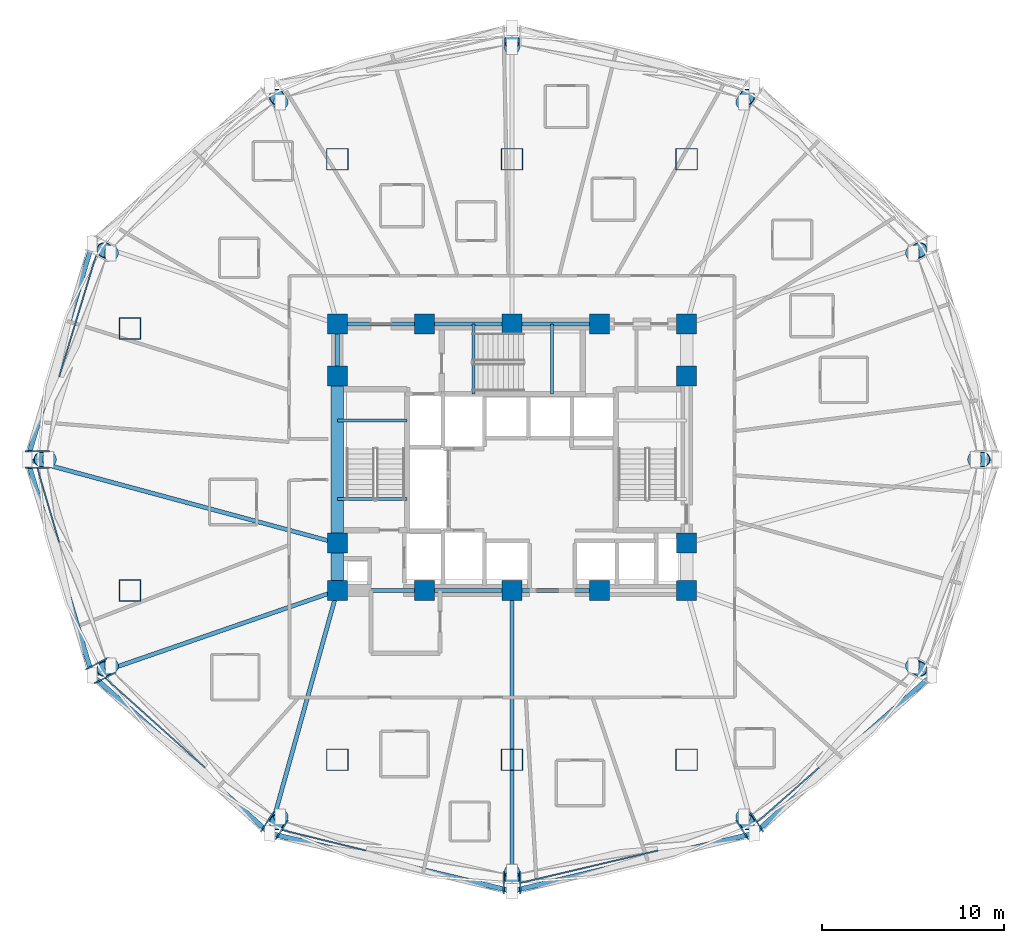
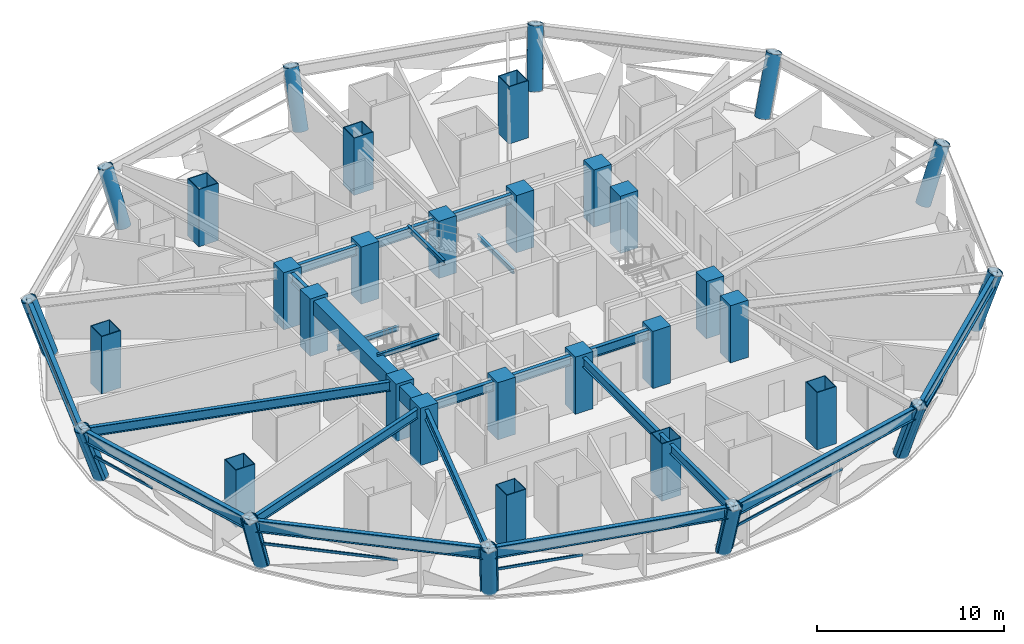
# One storey, part 1 of 12: 34 columns, 23 beams, 16 members, 6 elements without a shape of their own.
"""IFC4 building model written with IfcOpenShell, lengths in metres."""

from ifc_helpers import new_model, si_unit, direction, frame, origin, origin_2d, place, context, subcontext, project, spatial, rectangle, hollow_rectangle, hollow_circle, i_section, extrude, material, layer, layer_set, material_profile, profile_set, type_object, element, aggregate, save


model = new_model("IFC4")

# Units and contexts
model_context = context("Model", 3, precision=1e-05, world=origin(), true_north=direction((0.0, 1.0)))
body_context = subcontext(model_context, "Body", "Model", "MODEL_VIEW")
ifc_project = project(units=[si_unit("LENGTHUNIT", "METRE"), si_unit("AREAUNIT", "SQUARE_METRE"), si_unit("VOLUMEUNIT", "CUBIC_METRE"), si_unit("PLANEANGLEUNIT", "RADIAN"), si_unit("MASSUNIT", "GRAM", prefix="KILO")], contexts=[model_context])

# Site, building, storey
site_placement = place(None, origin())
site = spatial("IfcSite", under=ifc_project, at=site_placement, CompositionType="ELEMENT")
building_placement = place(site_placement, origin())
building = spatial("IfcBuilding", under=site, at=building_placement, Name="Vantalir Tower", CompositionType="ELEMENT")
storey_placement = place(building_placement, frame((0.0, 0.0, 38.25)))
storey = spatial("IfcBuildingStorey", under=building, at=storey_placement, Name="L08", CompositionType="ELEMENT", Elevation=38.25)

# Columns
ifc_material_1 = material(Name="Concrete C60/75", Category="concrete")
ifc_material_profile_1 = material_profile(ifc_material_1, rectangle(XDim=1.10009765625, YDim=1.10009765625, at=origin_2d()), Name="Concrete C60/75")
ifc_profile_set_1 = profile_set([ifc_material_profile_1], Name="Concrete C60/75")
column_type_1 = type_object("IfcColumnType", Name="COL-CC-1100", PredefinedType="COLUMN", material=ifc_profile_set_1)
for number, where, z_axis, x_axis, name in (
    (1, (21.89990234375, 17.800048828125, 0.0), (0.0, 0.0, 1.0), (1.0, 0.0, 0.0), "L08 Core Column CC01"),
    (2, (26.699951171875, 17.800048828125, 0.0), (0.0, 0.0, 1.0), (1.0, 0.0, 0.0), "L08 Core Column CC02"),
    (3, (31.5, 17.800048828125, 0.0), (0.0, 0.0, 1.0), (1.0, 0.0, 0.0), "L08 Core Column CC03"),
    (4, (36.300048828125, 17.800048828125, 0.0), (0.0, 0.0, 1.0), (1.0, 0.0, 0.0), "L08 Core Column CC04"),
    (5, (41.10009765625, 17.800048828125, 0.0), (0.0, 0.0, 1.0), (1.0, 0.0, 0.0), "L08 Core Column CC05"),
    (6, (21.89990234375, 20.39990234375, 0.0), (0.0, 0.0, 1.0), (1.0, 0.0, 0.0), "L08 Core Column CC06"),
    (7, (21.89990234375, 29.60009765625, 0.0), (0.0, 0.0, 1.0), (1.0, 0.0, 0.0), "L08 Core Column CC07"),
    (8, (41.10009765625, 20.39990234375, 0.0), (0.0, 0.0, 1.0), (1.0, 0.0, 0.0), "L08 Core Column CC08"),
    (9, (41.10009765625, 29.60009765625, 0.0), (0.0, 0.0, 1.0), (1.0, 0.0, 0.0), "L08 Core Column CC09"),
    (10, (21.89990234375, 32.449951171875, 0.0), (0.0, 0.0, 1.0), (1.0, 0.0, 0.0), "L08 Core Column CC10"),
    (11, (26.699951171875, 32.449951171875, 0.0), (0.0, 0.0, 1.0), (1.0, 0.0, 0.0), "L08 Core Column CC11"),
    (12, (31.5, 32.449951171875, 0.0), (0.0, 0.0, 1.0), (1.0, 0.0, 0.0), "L08 Core Column CC12"),
    (13, (36.300048828125, 32.449951171875, 0.0), (0.0, 0.0, 1.0), (1.0, 0.0, 0.0), "L08 Core Column CC13"),
    (14, (41.10009765625, 32.449951171875, 0.0), (0.0, 0.0, 1.0), (1.0, 0.0, 0.0), "L08 Core Column CC14"),
):
    element("IfcColumn", number, at=place(storey_placement, frame(where, z_axis=z_axis, x_axis=x_axis)), inside=storey, type_object=column_type_1, Name=name, PredefinedType="COLUMN", context=body_context, shape_type="SweptSolid", body=[
        extrude(rectangle(XDim=1.10009765625, YDim=1.10009765625, at=origin_2d()), origin(), (0.0, 0.0, 1.0), 3.75),
    ])
ifc_material_2 = material(Name="Steel S460", Category="steel")
ifc_material_profile_2 = material_profile(ifc_material_2, hollow_rectangle(XDim=1.199951171875, YDim=1.199951171875, WallThickness=0.044921875, at=origin_2d()), Name="Steel S460")
ifc_profile_set_2 = profile_set([ifc_material_profile_2], Name="Steel S460")
column_type_2 = type_object("IfcColumnType", Name="COL-MC-1200", PredefinedType="COLUMN", material=ifc_profile_set_2)
for number, where, z_axis, x_axis, name in (
    (15, (21.89990234375, 8.5, 0.0), (0.0, 0.0, 1.0), (1.0, 0.0, 0.0), "L08 S460 Mega-Column MC01"),
    (16, (31.5, 8.5, 0.0), (0.0, 0.0, 1.0), (1.0, 0.0, 0.0), "L08 S460 Mega-Column MC02"),
    (17, (41.10009765625, 8.5, 0.0), (0.0, 0.0, 1.0), (1.0, 0.0, 0.0), "L08 S460 Mega-Column MC03"),
    (18, (10.5, 17.800048828125, 0.0), (0.0, 0.0, 1.0), (1.0, 0.0, 0.0), "L08 S460 Mega-Column MC04"),
    (19, (10.5, 32.199951171875, 0.0), (0.0, 0.0, 1.0), (1.0, 0.0, 0.0), "L08 S460 Mega-Column MC05"),
    (20, (21.89990234375, 41.5, 0.0), (0.0, 0.0, 1.0), (1.0, 0.0, 0.0), "L08 S460 Mega-Column MC06"),
    (21, (31.5, 41.5, 0.0), (0.0, 0.0, 1.0), (1.0, 0.0, 0.0), "L08 S460 Mega-Column MC07"),
    (22, (41.10009765625, 41.5, 0.0), (0.0, 0.0, 1.0), (1.0, 0.0, 0.0), "L08 S460 Mega-Column MC08"),
):
    element("IfcColumn", number, at=place(storey_placement, frame(where, z_axis=z_axis, x_axis=x_axis)), inside=storey, type_object=column_type_2, Name=name, PredefinedType="COLUMN", context=body_context, shape_type="SweptSolid", body=[
        extrude(hollow_rectangle(XDim=1.199951171875, YDim=1.199951171875, WallThickness=0.044921875, at=origin_2d()), origin(), (0.0, 0.0, 1.0), 3.75),
    ])
ifc_material_profile_3 = material_profile(ifc_material_2, hollow_circle(Radius=0.425048828125, WallThickness=0.0400390625, at=origin_2d()), Name="Steel S460")
ifc_profile_set_3 = profile_set([ifc_material_profile_3], Name="Steel S460")
column_type_3 = type_object("IfcColumnType", Name="COL-RC-850", PredefinedType="COLUMN", material=ifc_profile_set_3)
column_1_placement = place(storey_placement, frame((56.949951171875, 25.0, 0.0), z_axis=(0.315974715468, 0.0, 0.948767610738), x_axis=(0.0, 1.0, 0.0)))
element("IfcColumn", 23, at=column_1_placement, inside=storey, type_object=column_type_3, Name="L08 Perimeter Ring Column RC01", PredefinedType="COLUMN", context=body_context, shape_type="SweptSolid", body=[
    extrude(hollow_circle(Radius=0.425048828125, WallThickness=0.0400390625, at=origin_2d()), origin(), (0.0, 0.0, 1.0), 3.762939453125),
])
column_2_placement = place(storey_placement, frame((53.5400390625, 36.33203125, 0.0), z_axis=(0.274422704716, 0.141471766475, 0.951145582141), x_axis=(-0.458218920187, 0.88883936748, 0.0)))
element("IfcColumn", 24, at=column_2_placement, inside=storey, type_object=column_type_3, Name="L08 Perimeter Ring Column RC02", PredefinedType="COLUMN", context=body_context, shape_type="SweptSolid", body=[
    extrude(hollow_circle(Radius=0.425048828125, WallThickness=0.0400390625, at=origin_2d()), origin(), (0.0, 0.0, 1.0), 3.75341796875),
])
column_3_placement = place(storey_placement, frame((44.22509765625, 44.6279296875, 0.0), z_axis=(0.159329949085, 0.246153983712, 0.956045074056), x_axis=(-0.839486397034, 0.543380703738, 0.0)))
element("IfcColumn", 25, at=column_3_placement, inside=storey, type_object=column_type_3, Name="L08 Perimeter Ring Column RC03", PredefinedType="COLUMN", context=body_context, shape_type="SweptSolid", body=[
    extrude(hollow_circle(Radius=0.425048828125, WallThickness=0.0400390625, at=origin_2d()), origin(), (0.0, 0.0, 1.0), 3.734130859375),
])
column_4_placement = place(storey_placement, frame((31.5, 47.6640625, 0.0), z_axis=(0.0, 0.285128148183, 0.9584894048), x_axis=(-1.0, 0.0, 0.0)))
element("IfcColumn", 26, at=column_4_placement, inside=storey, type_object=column_type_3, Name="L08 Perimeter Ring Column RC04", PredefinedType="COLUMN", context=body_context, shape_type="SweptSolid", body=[
    extrude(hollow_circle(Radius=0.425048828125, WallThickness=0.0400390625, at=origin_2d()), origin(), (0.0, 0.0, 1.0), 3.724609375),
])
column_5_placement = place(storey_placement, frame((18.77490234375, 44.6279296875, 0.0), z_axis=(-0.159075053895, 0.2461642326, 0.956084880027), x_axis=(-0.839893201373, -0.542751702242, 0.0)))
element("IfcColumn", 27, at=column_5_placement, inside=storey, type_object=column_type_3, Name="L08 Perimeter Ring Column RC05", PredefinedType="COLUMN", context=body_context, shape_type="SweptSolid", body=[
    extrude(hollow_circle(Radius=0.425048828125, WallThickness=0.0400390625, at=origin_2d()), origin(), (0.0, 0.0, 1.0), 3.734130859375),
])
column_6_placement = place(storey_placement, frame((9.4599609375, 36.33203125, 0.0), z_axis=(-0.274422704716, 0.141471766475, 0.951145582141), x_axis=(-0.458218920187, -0.88883936748, 0.0)))
element("IfcColumn", 28, at=column_6_placement, inside=storey, type_object=column_type_3, Name="L08 Perimeter Ring Column RC06", PredefinedType="COLUMN", context=body_context, shape_type="SweptSolid", body=[
    extrude(hollow_circle(Radius=0.425048828125, WallThickness=0.0400390625, at=origin_2d()), origin(), (0.0, 0.0, 1.0), 3.75341796875),
])
column_7_placement = place(storey_placement, frame((6.050048828125, 25.0, 0.0), z_axis=(-0.315974715468, 0.0, 0.948767610738), x_axis=(0.0, -1.0, 0.0)))
element("IfcColumn", 29, at=column_7_placement, inside=storey, type_object=column_type_3, Name="L08 Perimeter Ring Column RC07", PredefinedType="COLUMN", context=body_context, shape_type="SweptSolid", body=[
    extrude(hollow_circle(Radius=0.425048828125, WallThickness=0.0400390625, at=origin_2d()), origin(), (0.0, 0.0, 1.0), 3.762939453125),
])
column_8_placement = place(storey_placement, frame((9.4599609375, 13.66796875, 0.0), z_axis=(-0.274422704716, -0.141471766475, 0.951145582141), x_axis=(0.458218920187, -0.88883936748, 0.0)))
element("IfcColumn", 30, at=column_8_placement, inside=storey, type_object=column_type_3, Name="L08 Perimeter Ring Column RC08", PredefinedType="COLUMN", context=body_context, shape_type="SweptSolid", body=[
    extrude(hollow_circle(Radius=0.425048828125, WallThickness=0.0400390625, at=origin_2d()), origin(), (0.0, 0.0, 1.0), 3.75341796875),
])
column_9_placement = place(storey_placement, frame((18.77490234375, 5.3720703125, 0.0), z_axis=(-0.159329949085, -0.246153983712, 0.956045074056), x_axis=(0.839486397034, -0.543380703738, 0.0)))
element("IfcColumn", 31, at=column_9_placement, inside=storey, type_object=column_type_3, Name="L08 Perimeter Ring Column RC09", PredefinedType="COLUMN", context=body_context, shape_type="SweptSolid", body=[
    extrude(hollow_circle(Radius=0.425048828125, WallThickness=0.0400390625, at=origin_2d()), origin(), (0.0, 0.0, 1.0), 3.734130859375),
])
column_10_placement = place(storey_placement, frame((31.5, 2.3359375, 0.0), z_axis=(0.0, -0.285128148183, 0.9584894048), x_axis=(1.0, 0.0, 0.0)))
element("IfcColumn", 32, at=column_10_placement, inside=storey, type_object=column_type_3, Name="L08 Perimeter Ring Column RC10", PredefinedType="COLUMN", context=body_context, shape_type="SweptSolid", body=[
    extrude(hollow_circle(Radius=0.425048828125, WallThickness=0.0400390625, at=origin_2d()), origin(), (0.0, 0.0, 1.0), 3.724609375),
])
column_11_placement = place(storey_placement, frame((44.22509765625, 5.3720703125, 0.0), z_axis=(0.159329949085, -0.246153983712, 0.956045074056), x_axis=(0.839486397034, 0.543380703738, 0.0)))
element("IfcColumn", 33, at=column_11_placement, inside=storey, type_object=column_type_3, Name="L08 Perimeter Ring Column RC11", PredefinedType="COLUMN", context=body_context, shape_type="SweptSolid", body=[
    extrude(hollow_circle(Radius=0.425048828125, WallThickness=0.0400390625, at=origin_2d()), origin(), (0.0, 0.0, 1.0), 3.734130859375),
])
column_12_placement = place(storey_placement, frame((53.5400390625, 13.66796875, 0.0), z_axis=(0.274422704716, -0.141471766475, 0.951145582141), x_axis=(0.458218920187, 0.88883936748, 0.0)))
element("IfcColumn", 34, at=column_12_placement, inside=storey, type_object=column_type_3, Name="L08 Perimeter Ring Column RC12", PredefinedType="COLUMN", context=body_context, shape_type="SweptSolid", body=[
    extrude(hollow_circle(Radius=0.425048828125, WallThickness=0.0400390625, at=origin_2d()), origin(), (0.0, 0.0, 1.0), 3.75341796875),
])

# Beams
ifc_material_profile_4 = material_profile(ifc_material_1, rectangle(XDim=0.699951171875, YDim=0.949951171875, at=origin_2d()), Name="Concrete C60/75")
ifc_profile_set_4 = profile_set([ifc_material_profile_4], Name="Concrete C60/75")
beam_type_1 = type_object("IfcBeamType", Name="BM-CB-700x950", PredefinedType="USERDEFINED", material=ifc_profile_set_4)
beam_1_placement = place(storey_placement, frame((21.89990234375, 29.60009765625, 3.094970703125), z_axis=(0.0, -1.0, 0.0), x_axis=(1.0, 0.0, 0.0)))
element("IfcBeam", 35, at=beam_1_placement, inside=storey, type_object=beam_type_1, Name="L08 Core Coupling Girder 13", ObjectType="GIRDER", PredefinedType="USERDEFINED", context=body_context, shape_type="SweptSolid", body=[
    extrude(rectangle(XDim=0.699951171875, YDim=0.949951171875, at=origin_2d()), origin(), (0.0, 0.0, 1.0), 9.2001953125),
])
beam_2_placement = place(storey_placement, frame((21.89990234375, 20.39990234375, 3.094970703125), z_axis=(0.0, -1.0, 0.0), x_axis=(1.0, 0.0, 0.0)))
element("IfcBeam", 36, at=beam_2_placement, inside=storey, type_object=beam_type_1, Name="L08 Core Coupling Girder 14", ObjectType="GIRDER", PredefinedType="USERDEFINED", context=body_context, shape_type="SweptSolid", body=[
    extrude(rectangle(XDim=0.699951171875, YDim=0.949951171875, at=origin_2d()), origin(), (0.0, 0.0, 1.0), 2.599853515625),
])
ifc_material_3 = material(Name="Steel S355", Category="steel")
ifc_material_profile_5 = material_profile(ifc_material_3, i_section(OverallWidth=0.166015625, OverallDepth=0.306884765625, WebThickness=0.006591796875, FlangeThickness=0.01171875, at=origin_2d()), Name="Steel S355")
ifc_profile_set_5 = profile_set([ifc_material_profile_5], Name="Steel S355")
beam_type_2 = type_object("IfcBeamType", Name="BM-JS-305x165", PredefinedType="JOIST", material=ifc_profile_set_5)
for number, where, z_axis, x_axis, name in (
    (37, (21.89990234375, 22.8349609375, 3.595947265625), (1.0, 0.0, 0.0), (0.0, 1.0, 0.0), "L09 Stair ST1 Well Nosing Trimmer Beam"),
    (38, (21.89990234375, 27.14501953125, 1.52099609375), (1.0, 0.0, 0.0), (0.0, 1.0, 0.0), "L08 Stair ST1 Half-Landing Support Beam"),
):
    element("IfcBeam", number, at=place(storey_placement, frame(where, z_axis=z_axis, x_axis=x_axis)), inside=storey, type_object=beam_type_2, Name=name, PredefinedType="JOIST", context=body_context, shape_type="SweptSolid", body=[
        extrude(i_section(OverallWidth=0.166015625, OverallDepth=0.306884765625, WebThickness=0.006591796875, FlangeThickness=0.01171875, at=origin_2d()), origin(), (0.0, 0.0, 1.0), 3.840087890625),
    ])
for number, where, z_axis, x_axis, name in (
    (39, (29.385009765625, 28.60009765625, 3.595947265625), (0.0, 1.0, 0.0), (-1.0, 0.0, 0.0), "L09 Stair ST3 Well Nosing Trimmer Beam"),
    (40, (33.695068359375, 28.60009765625, 1.52099609375), (0.0, 1.0, 0.0), (-1.0, 0.0, 0.0), "L08 Stair ST3 Half-Landing Support Beam"),
):
    element("IfcBeam", number, at=place(storey_placement, frame(where, z_axis=z_axis, x_axis=x_axis)), inside=storey, type_object=beam_type_2, Name=name, PredefinedType="JOIST", context=body_context, shape_type="SweptSolid", body=[
        extrude(i_section(OverallWidth=0.166015625, OverallDepth=0.306884765625, WebThickness=0.006591796875, FlangeThickness=0.01171875, at=origin_2d()), origin(), (0.0, 0.0, 1.0), 3.849853515625),
    ])
ifc_material_profile_6 = material_profile(ifc_material_3, i_section(OverallWidth=0.22998046875, OverallDepth=0.616943359375, WebThickness=0.01318359375, FlangeThickness=0.022216796875, at=origin_2d()), Name="Steel S355")
ifc_profile_set_6 = profile_set([ifc_material_profile_6], Name="Steel S355")
beam_type_3 = type_object("IfcBeamType", Name="BM-RB-610x229", PredefinedType="BEAM", material=ifc_profile_set_6)
for number, where, z_axis, x_axis, name in (
    (41, (21.89990234375, 17.800048828125, 3.261962890625), (1.0, 0.0, 0.0), (0.0, 1.0, 0.0), "L08 Core Coupling Girder 01"),
    (42, (26.699951171875, 17.800048828125, 3.261962890625), (1.0, 0.0, 0.0), (0.0, 1.0, 0.0), "L08 Core Coupling Girder 02"),
    (43, (31.5, 17.800048828125, 3.261962890625), (1.0, 0.0, 0.0), (0.0, 1.0, 0.0), "L08 Core Coupling Girder 03"),
    (44, (36.300048828125, 32.449951171875, 3.261962890625), (-1.0, 0.0, 0.0), (0.0, -1.0, 0.0), "L08 Core Coupling Girder 09"),
    (45, (31.5, 32.449951171875, 3.261962890625), (-1.0, 0.0, 0.0), (0.0, -1.0, 0.0), "L08 Core Coupling Girder 10"),
    (46, (26.699951171875, 32.449951171875, 3.261962890625), (-1.0, 0.0, 0.0), (0.0, -1.0, 0.0), "L08 Core Coupling Girder 11"),
):
    element("IfcBeam", number, at=place(storey_placement, frame(where, z_axis=z_axis, x_axis=x_axis)), inside=storey, type_object=beam_type_3, Name=name, PredefinedType="BEAM", context=body_context, shape_type="SweptSolid", body=[
        extrude(i_section(OverallWidth=0.22998046875, OverallDepth=0.616943359375, WebThickness=0.01318359375, FlangeThickness=0.022216796875, at=origin_2d()), origin(), (0.0, 0.0, 1.0), 4.800048828125),
    ])
beam_3_placement = place(storey_placement, frame((21.89990234375, 32.449951171875, 3.261962890625), z_axis=(0.0, -1.0, 0.0), x_axis=(1.0, 0.0, 0.0)))
element("IfcBeam", 47, at=beam_3_placement, inside=storey, type_object=beam_type_3, Name="L08 Core Coupling Girder 12", PredefinedType="BEAM", context=body_context, shape_type="SweptSolid", body=[
    extrude(i_section(OverallWidth=0.22998046875, OverallDepth=0.616943359375, WebThickness=0.01318359375, FlangeThickness=0.022216796875, at=origin_2d()), origin(), (0.0, 0.0, 1.0), 2.849853515625),
])
beam_4_placement = place(storey_placement, frame((4.861083984375, 25.0, 3.261962890625), z_axis=(0.965434547817, -0.260645609749, 0.0), x_axis=(0.260645609749, 0.965434547817, 0.0)))
element("IfcBeam", 48, at=beam_4_placement, inside=storey, type_object=beam_type_3, Name="L08 Radial Floor Beam 07", PredefinedType="BEAM", context=body_context, shape_type="SweptSolid", body=[
    extrude(i_section(OverallWidth=0.22998046875, OverallDepth=0.616943359375, WebThickness=0.01318359375, FlangeThickness=0.022216796875, at=origin_2d()), origin(), (0.0, 0.0, 1.0), 17.64892578125),
])
beam_5_placement = place(storey_placement, frame((8.429931640625, 13.136962890625, 3.261962890625), z_axis=(0.944977317019, 0.327135859117, 0.0), x_axis=(-0.327135859117, 0.944977317019, 0.0)))
element("IfcBeam", 49, at=beam_5_placement, inside=storey, type_object=beam_type_3, Name="L08 Radial Floor Beam 08", PredefinedType="BEAM", context=body_context, shape_type="SweptSolid", body=[
    extrude(i_section(OverallWidth=0.22998046875, OverallDepth=0.616943359375, WebThickness=0.01318359375, FlangeThickness=0.022216796875, at=origin_2d()), origin(), (0.0, 0.0, 1.0), 14.25439453125),
])
beam_6_placement = place(storey_placement, frame((18.179931640625, 4.452880859375, 3.261962890625), z_axis=(0.268476196098, 0.963286318873, 0.0), x_axis=(-0.963286318873, 0.268476196098, 0.0)))
element("IfcBeam", 50, at=beam_6_placement, inside=storey, type_object=beam_type_3, Name="L08 Radial Floor Beam 09", PredefinedType="BEAM", context=body_context, shape_type="SweptSolid", body=[
    extrude(i_section(OverallWidth=0.22998046875, OverallDepth=0.616943359375, WebThickness=0.01318359375, FlangeThickness=0.022216796875, at=origin_2d()), origin(), (0.0, 0.0, 1.0), 13.85595703125),
])
beam_7_placement = place(storey_placement, frame((31.5, 1.27392578125, 3.261962890625), z_axis=(0.0, 1.0, 0.0), x_axis=(-1.0, 0.0, 0.0)))
element("IfcBeam", 51, at=beam_7_placement, inside=storey, type_object=beam_type_3, Name="L08 Radial Floor Beam 10", PredefinedType="BEAM", context=body_context, shape_type="SweptSolid", body=[
    extrude(i_section(OverallWidth=0.22998046875, OverallDepth=0.616943359375, WebThickness=0.01318359375, FlangeThickness=0.022216796875, at=origin_2d()), origin(), (0.0, 0.0, 1.0), 16.526123046875),
])
ifc_material_profile_7 = material_profile(ifc_material_2, i_section(OverallWidth=0.26806640625, OverallDepth=0.77001953125, WebThickness=0.015625, FlangeThickness=0.025390625, at=origin_2d()), Name="Steel S460")
ifc_profile_set_7 = profile_set([ifc_material_profile_7], Name="Steel S460")
beam_type_4 = type_object("IfcBeamType", Name="BM-RG-762x267", PredefinedType="USERDEFINED", material=ifc_profile_set_7)
for number, where, z_axis, x_axis, name in (
    (52, (8.429931640625, 36.863037109375, 3.18505859375), (-0.288083666515, -0.957605242826, 0.0), (0.957605242826, -0.288083666515, 0.0), "L08 Circumferential Ring Girder 06"),
    (53, (4.861083984375, 25.0, 3.18505859375), (0.288083666515, -0.957605242826, 0.0), (0.957605242826, 0.288083666515, 0.0), "L08 Circumferential Ring Girder 07"),
):
    element("IfcBeam", number, at=place(storey_placement, frame(where, z_axis=z_axis, x_axis=x_axis)), inside=storey, type_object=beam_type_4, Name=name, ObjectType="GIRDER", PredefinedType="USERDEFINED", context=body_context, shape_type="SweptSolid", body=[
        extrude(i_section(OverallWidth=0.26806640625, OverallDepth=0.77001953125, WebThickness=0.015625, FlangeThickness=0.025390625, at=origin_2d()), origin(), (0.0, 0.0, 1.0), 12.38818359375),
    ])
beam_8_placement = place(storey_placement, frame((8.429931640625, 13.136962890625, 3.18505859375), z_axis=(0.746746630555, -0.665108615005, 0.0), x_axis=(0.665108615005, 0.746746630555, 0.0)))
element("IfcBeam", 54, at=beam_8_placement, inside=storey, type_object=beam_type_4, Name="L08 Circumferential Ring Girder 08", ObjectType="GIRDER", PredefinedType="USERDEFINED", context=body_context, shape_type="SweptSolid", body=[
    extrude(i_section(OverallWidth=0.26806640625, OverallDepth=0.77001953125, WebThickness=0.015625, FlangeThickness=0.025390625, at=origin_2d()), origin(), (0.0, 0.0, 1.0), 13.056640625),
])
for number, where, z_axis, x_axis, name in (
    (55, (18.179931640625, 4.452880859375, 3.18505859375), (0.972682503887, -0.232139498215, 0.0), (0.232139498215, 0.972682503887, 0.0), "L08 Circumferential Ring Girder 09"),
    (56, (31.5, 1.27392578125, 3.18505859375), (0.972682503887, 0.232139498215, 0.0), (-0.232139498215, 0.972682503887, 0.0), "L08 Circumferential Ring Girder 10"),
):
    element("IfcBeam", number, at=place(storey_placement, frame(where, z_axis=z_axis, x_axis=x_axis)), inside=storey, type_object=beam_type_4, Name=name, ObjectType="GIRDER", PredefinedType="USERDEFINED", context=body_context, shape_type="SweptSolid", body=[
        extrude(i_section(OverallWidth=0.26806640625, OverallDepth=0.77001953125, WebThickness=0.015625, FlangeThickness=0.025390625, at=origin_2d()), origin(), (0.0, 0.0, 1.0), 13.694091796875),
    ])
beam_9_placement = place(storey_placement, frame((44.820068359375, 4.452880859375, 3.18505859375), z_axis=(0.746746630555, 0.665108615005, 0.0), x_axis=(-0.665108615005, 0.746746630555, 0.0)))
element("IfcBeam", 57, at=beam_9_placement, inside=storey, type_object=beam_type_4, Name="L08 Circumferential Ring Girder 11", ObjectType="GIRDER", PredefinedType="USERDEFINED", context=body_context, shape_type="SweptSolid", body=[
    extrude(i_section(OverallWidth=0.26806640625, OverallDepth=0.77001953125, WebThickness=0.015625, FlangeThickness=0.025390625, at=origin_2d()), origin(), (0.0, 0.0, 1.0), 13.056640625),
])

# Curtain wall, member
ifc_material_4 = material(Name="Champagne-silver PVDF aluminium and double-silver Low-E glass", Category="aluminium")
ifc_layer = layer(ifc_material_4, 0.18994140625)
ifc_layer_set = layer_set([ifc_layer], Name="Champagne-silver PVDF aluminium and double-silver Low-E glass")
curtain_wall_type = type_object("IfcCurtainWallType", Name="CW-DIAMOND-Z1", PredefinedType="USERDEFINED", material=ifc_layer_set)
curtain_wall_1_placement = place(storey_placement, origin())
curtain_wall_1 = element("IfcCurtainWall", 58, at=curtain_wall_1_placement, inside=storey, type_object=curtain_wall_type, Name="L08 Quilted Pyramid-Diamond Curtain Wall S06", ObjectType="UNITISED CURTAIN WALL", PredefinedType="USERDEFINED")
ifc_material_5 = material(Name="Champagne-silver PVDF aluminium 6063-T6", Category="aluminium")
ifc_material_profile_8 = material_profile(ifc_material_5, hollow_rectangle(XDim=0.074951171875, YDim=0.179931640625, WallThickness=0.00390625, at=origin_2d()), Name="Champagne-silver PVDF aluminium 6063-T6")
ifc_profile_set_8 = profile_set([ifc_material_profile_8], Name="Champagne-silver PVDF aluminium 6063-T6")
member_type_1 = type_object("IfcMemberType", Name="CWM-180x75", PredefinedType="MULLION", material=ifc_profile_set_8)
member_1_placement = place(storey_placement, frame((5.9951171875, 25.449951171875, 0.044921875), z_axis=(-0.323368610382, 0.0, 0.94627307994), x_axis=(0.0, -1.0, 0.0)))
member_1 = element("IfcMember", 59, at=member_1_placement, type_object=member_type_1, Name="CW-L08-S06 Mullion 2", PredefinedType="MULLION", context=body_context, shape_type="SweptSolid", body=[
    extrude(hollow_rectangle(XDim=0.074951171875, YDim=0.179931640625, WallThickness=0.00390625, at=origin_2d()), origin(), (0.0, 0.0, 1.0), 3.677490234375),
])

# Curtain wall, members
curtain_wall_2_placement = place(storey_placement, origin())
curtain_wall_2 = element("IfcCurtainWall", 60, at=curtain_wall_2_placement, inside=storey, type_object=curtain_wall_type, Name="L08 Quilted Pyramid-Diamond Curtain Wall S07", ObjectType="UNITISED CURTAIN WALL", PredefinedType="USERDEFINED")
member_2_placement = place(storey_placement, frame((5.9951171875, 24.550048828125, 0.044921875), z_axis=(-0.323368610382, 0.0, 0.94627307994), x_axis=(0.0, -1.0, 0.0)))
member_2 = element("IfcMember", 61, at=member_2_placement, type_object=member_type_1, Name="CW-L08-S07 Mullion 1", PredefinedType="MULLION", context=body_context, shape_type="SweptSolid", body=[
    extrude(hollow_rectangle(XDim=0.074951171875, YDim=0.179931640625, WallThickness=0.00390625, at=origin_2d()), origin(), (0.0, 0.0, 1.0), 3.677490234375),
])
member_3_placement = place(storey_placement, frame((9.159912109375, 14.02294921875, 0.044921875), z_axis=(-0.280825740721, -0.144772691649, 0.948776987021), x_axis=(0.458218920187, -0.88883936748, 0.0)))
member_3 = element("IfcMember", 62, at=member_3_placement, type_object=member_type_1, Name="CW-L08-S07 Mullion 2", PredefinedType="MULLION", context=body_context, shape_type="SweptSolid", body=[
    extrude(hollow_rectangle(XDim=0.074951171875, YDim=0.179931640625, WallThickness=0.00390625, at=origin_2d()), origin(), (0.0, 0.0, 1.0), 3.66796875),
])

curtain_wall_3_placement = place(storey_placement, origin())
curtain_wall_3 = element("IfcCurtainWall", 63, at=curtain_wall_3_placement, inside=storey, type_object=curtain_wall_type, Name="L08 Quilted Pyramid-Diamond Curtain Wall S08", ObjectType="UNITISED CURTAIN WALL", PredefinedType="USERDEFINED")
member_4_placement = place(storey_placement, frame((9.64599609375, 13.260009765625, 0.044921875), z_axis=(-0.280825740721, -0.144772691649, 0.948776987021), x_axis=(0.458218920187, -0.88883936748, 0.0)))
member_4 = element("IfcMember", 64, at=member_4_placement, type_object=member_type_1, Name="CW-L08-S08 Mullion 1", PredefinedType="MULLION", context=body_context, shape_type="SweptSolid", body=[
    extrude(hollow_rectangle(XDim=0.074951171875, YDim=0.179931640625, WallThickness=0.00390625, at=origin_2d()), origin(), (0.0, 0.0, 1.0), 3.66796875),
])
member_5_placement = place(storey_placement, frame((18.3291015625, 5.52099609375, 0.044921875), z_axis=(-0.163144207089, -0.252144123179, 0.953838198459), x_axis=(0.839582113092, -0.54323280035, 0.0)))
member_5 = element("IfcMember", 65, at=member_5_placement, type_object=member_type_1, Name="CW-L08-S08 Mullion 2", PredefinedType="MULLION", context=body_context, shape_type="SweptSolid", body=[
    extrude(hollow_rectangle(XDim=0.074951171875, YDim=0.179931640625, WallThickness=0.00390625, at=origin_2d()), origin(), (0.0, 0.0, 1.0), 3.6484375),
])

curtain_wall_4_placement = place(storey_placement, origin())
curtain_wall_4 = element("IfcCurtainWall", 66, at=curtain_wall_4_placement, inside=storey, type_object=curtain_wall_type, Name="L08 Quilted Pyramid-Diamond Curtain Wall S09", ObjectType="UNITISED CURTAIN WALL", PredefinedType="USERDEFINED")
member_6_placement = place(storey_placement, frame((19.136962890625, 5.09912109375, 0.044921875), z_axis=(-0.163076317909, -0.252209537218, 0.953832513533), x_axis=(0.839749441706, -0.542974101735, 0.0)))
member_6 = element("IfcMember", 67, at=member_6_placement, type_object=member_type_1, Name="CW-L08-S09 Mullion 1", PredefinedType="MULLION", context=body_context, shape_type="SweptSolid", body=[
    extrude(hollow_rectangle(XDim=0.074951171875, YDim=0.179931640625, WallThickness=0.00390625, at=origin_2d()), origin(), (0.0, 0.0, 1.0), 3.6484375),
])
member_7_placement = place(storey_placement, frame((31.04296875, 2.2548828125, 0.044921875), z_axis=(0.0, -0.291826412093, 0.956471298683), x_axis=(1.0, 0.0, 0.0)))
member_7 = element("IfcMember", 68, at=member_7_placement, type_object=member_type_1, Name="CW-L08-S09 Mullion 2", PredefinedType="MULLION", context=body_context, shape_type="SweptSolid", body=[
    extrude(hollow_rectangle(XDim=0.074951171875, YDim=0.179931640625, WallThickness=0.00390625, at=origin_2d()), origin(), (0.0, 0.0, 1.0), 3.638427734375),
])

curtain_wall_5_placement = place(storey_placement, origin())
curtain_wall_5 = element("IfcCurtainWall", 69, at=curtain_wall_5_placement, inside=storey, type_object=curtain_wall_type, Name="L08 Quilted Pyramid-Diamond Curtain Wall S10", ObjectType="UNITISED CURTAIN WALL", PredefinedType="USERDEFINED")
member_8_placement = place(storey_placement, frame((31.95703125, 2.2548828125, 0.044921875), z_axis=(0.0, -0.291826412093, 0.956471298683), x_axis=(1.0, 0.0, 0.0)))
member_8 = element("IfcMember", 70, at=member_8_placement, type_object=member_type_1, Name="CW-L08-S10 Mullion 1", PredefinedType="MULLION", context=body_context, shape_type="SweptSolid", body=[
    extrude(hollow_rectangle(XDim=0.074951171875, YDim=0.179931640625, WallThickness=0.00390625, at=origin_2d()), origin(), (0.0, 0.0, 1.0), 3.638427734375),
])
member_9_placement = place(storey_placement, frame((43.863037109375, 5.09912109375, 0.044921875), z_axis=(0.163076317909, -0.252209537218, 0.953832513533), x_axis=(0.839749441706, 0.542974101735, 0.0)))
member_9 = element("IfcMember", 71, at=member_9_placement, type_object=member_type_1, Name="CW-L08-S10 Mullion 2", PredefinedType="MULLION", context=body_context, shape_type="SweptSolid", body=[
    extrude(hollow_rectangle(XDim=0.074951171875, YDim=0.179931640625, WallThickness=0.00390625, at=origin_2d()), origin(), (0.0, 0.0, 1.0), 3.6484375),
])

# Curtain wall, member
curtain_wall_6_placement = place(storey_placement, origin())
curtain_wall_6 = element("IfcCurtainWall", 72, at=curtain_wall_6_placement, inside=storey, type_object=curtain_wall_type, Name="L08 Quilted Pyramid-Diamond Curtain Wall S11", ObjectType="UNITISED CURTAIN WALL", PredefinedType="USERDEFINED")
member_10_placement = place(storey_placement, frame((44.6708984375, 5.52099609375, 0.044921875), z_axis=(0.163144207089, -0.252144123179, 0.953838198459), x_axis=(0.839582113092, 0.54323280035, 0.0)))
member_10 = element("IfcMember", 73, at=member_10_placement, type_object=member_type_1, Name="CW-L08-S11 Mullion 1", PredefinedType="MULLION", context=body_context, shape_type="SweptSolid", body=[
    extrude(hollow_rectangle(XDim=0.074951171875, YDim=0.179931640625, WallThickness=0.00390625, at=origin_2d()), origin(), (0.0, 0.0, 1.0), 3.6484375),
])

# Member
ifc_material_profile_9 = material_profile(ifc_material_5, hollow_rectangle(XDim=0.074951171875, YDim=0.159912109375, WallThickness=0.00390625, at=origin_2d()), Name="Champagne-silver PVDF aluminium 6063-T6")
ifc_profile_set_9 = profile_set([ifc_material_profile_9], Name="Champagne-silver PVDF aluminium 6063-T6")
member_type_2 = type_object("IfcMemberType", Name="CWT-160x75", PredefinedType="USERDEFINED", material=ifc_profile_set_9)
member_11_placement = place(storey_placement, frame((8.64501953125, 36.241943359375, 1.784912109375), z_axis=(-0.29112686864, -0.956684454957, 0.0), x_axis=(0.956684454957, -0.29112686864, 0.0)))
member_11 = element("IfcMember", 74, at=member_11_placement, type_object=member_type_2, Name="CW-L08-S06 Pyramid Fold Ridge Transom", ObjectType="TRANSOM", PredefinedType="USERDEFINED", context=body_context, shape_type="SweptSolid", body=[
    extrude(hollow_rectangle(XDim=0.074951171875, YDim=0.159912109375, WallThickness=0.00390625, at=origin_2d()), origin(), (0.0, 0.0, 1.0), 6.98974609375),
])

aggregate(curtain_wall_1, [member_1, member_11])

member_12_placement = place(storey_placement, frame((5.40087890625, 24.550048828125, 1.784912109375), z_axis=(0.282570921097, -0.959246409715, 0.0), x_axis=(0.959246409715, 0.282570921097, 0.0)))
member_12 = element("IfcMember", 75, at=member_12_placement, type_object=member_type_2, Name="CW-L08-S07 Pyramid Fold Ridge Transom", ObjectType="TRANSOM", PredefinedType="USERDEFINED", context=body_context, shape_type="SweptSolid", body=[
    extrude(hollow_rectangle(XDim=0.074951171875, YDim=0.159912109375, WallThickness=0.00390625, at=origin_2d()), origin(), (0.0, 0.0, 1.0), 4.279296875),
])

aggregate(curtain_wall_2, [member_2, member_3, member_12])

member_13_placement = place(storey_placement, frame((9.131103515625, 12.9951171875, 1.784912109375), z_axis=(0.744291962953, -0.667854380747, 0.0), x_axis=(0.667854380747, 0.744291962953, 0.0)))
member_13 = element("IfcMember", 76, at=member_13_placement, type_object=member_type_2, Name="CW-L08-S08 Pyramid Fold Ridge Transom", ObjectType="TRANSOM", PredefinedType="USERDEFINED", context=body_context, shape_type="SweptSolid", body=[
    extrude(hollow_rectangle(XDim=0.074951171875, YDim=0.159912109375, WallThickness=0.00390625, at=origin_2d()), origin(), (0.0, 0.0, 1.0), 7.390869140625),
])

aggregate(curtain_wall_3, [member_4, member_5, member_13])

member_14_placement = place(storey_placement, frame((18.840087890625, 4.638916015625, 1.784912109375), z_axis=(0.971466216247, -0.23717797261, 0.0), x_axis=(0.23717797261, 0.971466216247, 0.0)))
member_14 = element("IfcMember", 77, at=member_14_placement, type_object=member_type_2, Name="CW-L08-S09 Pyramid Fold Ridge Transom", ObjectType="TRANSOM", PredefinedType="USERDEFINED", context=body_context, shape_type="SweptSolid", body=[
    extrude(hollow_rectangle(XDim=0.074951171875, YDim=0.159912109375, WallThickness=0.00390625, at=origin_2d()), origin(), (0.0, 0.0, 1.0), 4.763916015625),
])

aggregate(curtain_wall_4, [member_6, member_7, member_14])

member_15_placement = place(storey_placement, frame((31.95703125, 1.72412109375, 1.784912109375), z_axis=(0.973343473651, 0.229352310435, 0.0), x_axis=(-0.229352310435, 0.973343473651, 0.0)))
member_15 = element("IfcMember", 78, at=member_15_placement, type_object=member_type_2, Name="CW-L08-S10 Pyramid Fold Ridge Transom", ObjectType="TRANSOM", PredefinedType="USERDEFINED", context=body_context, shape_type="SweptSolid", body=[
    extrude(hollow_rectangle(XDim=0.074951171875, YDim=0.159912109375, WallThickness=0.00390625, at=origin_2d()), origin(), (0.0, 0.0, 1.0), 7.782470703125),
])

aggregate(curtain_wall_5, [member_8, member_9, member_15])

member_16_placement = place(storey_placement, frame((44.968017578125, 5.06103515625, 1.784912109375), z_axis=(0.750042148965, 0.661390032263, 0.0), x_axis=(-0.661390032263, 0.750042148965, 0.0)))
member_16 = element("IfcMember", 79, at=member_16_placement, type_object=member_type_2, Name="CW-L08-S11 Pyramid Fold Ridge Transom", ObjectType="TRANSOM", PredefinedType="USERDEFINED", context=body_context, shape_type="SweptSolid", body=[
    extrude(hollow_rectangle(XDim=0.074951171875, YDim=0.159912109375, WallThickness=0.00390625, at=origin_2d()), origin(), (0.0, 0.0, 1.0), 4.532958984375),
])

aggregate(curtain_wall_6, [member_10, member_16])

save(model, "model.ifc")
